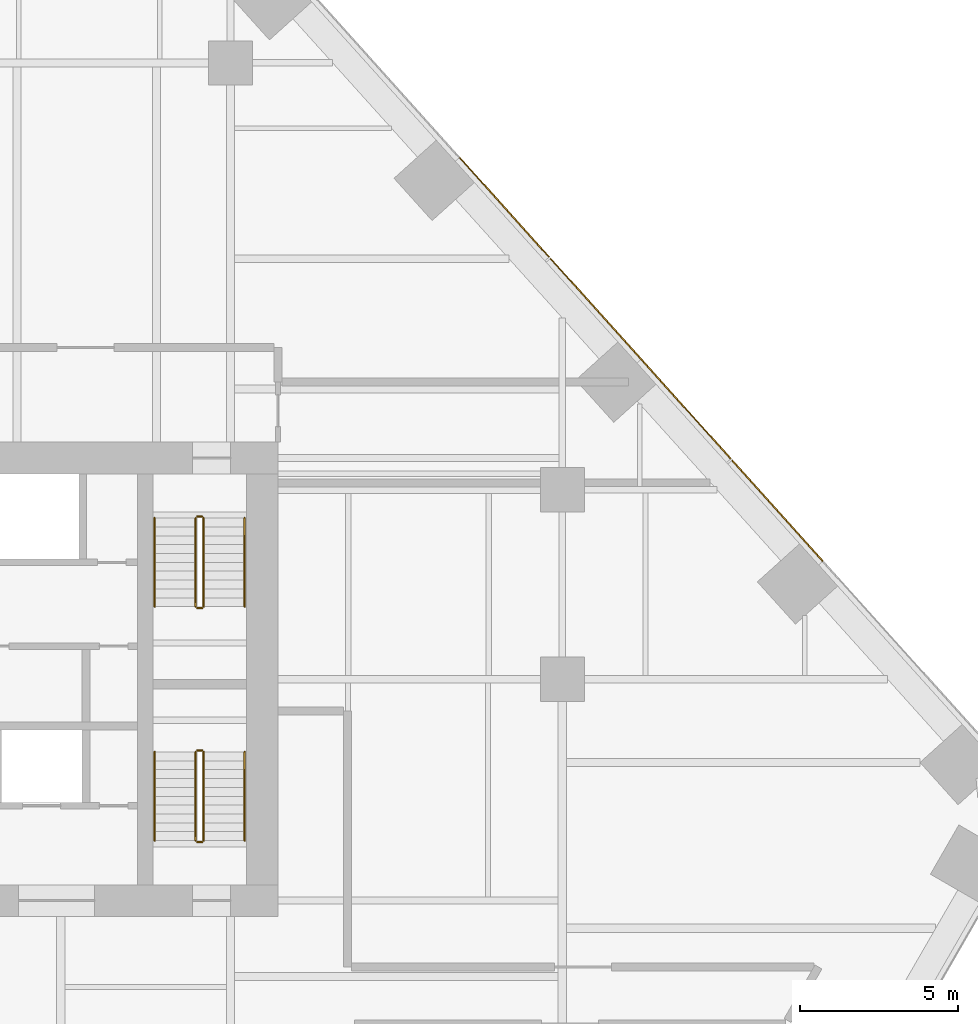
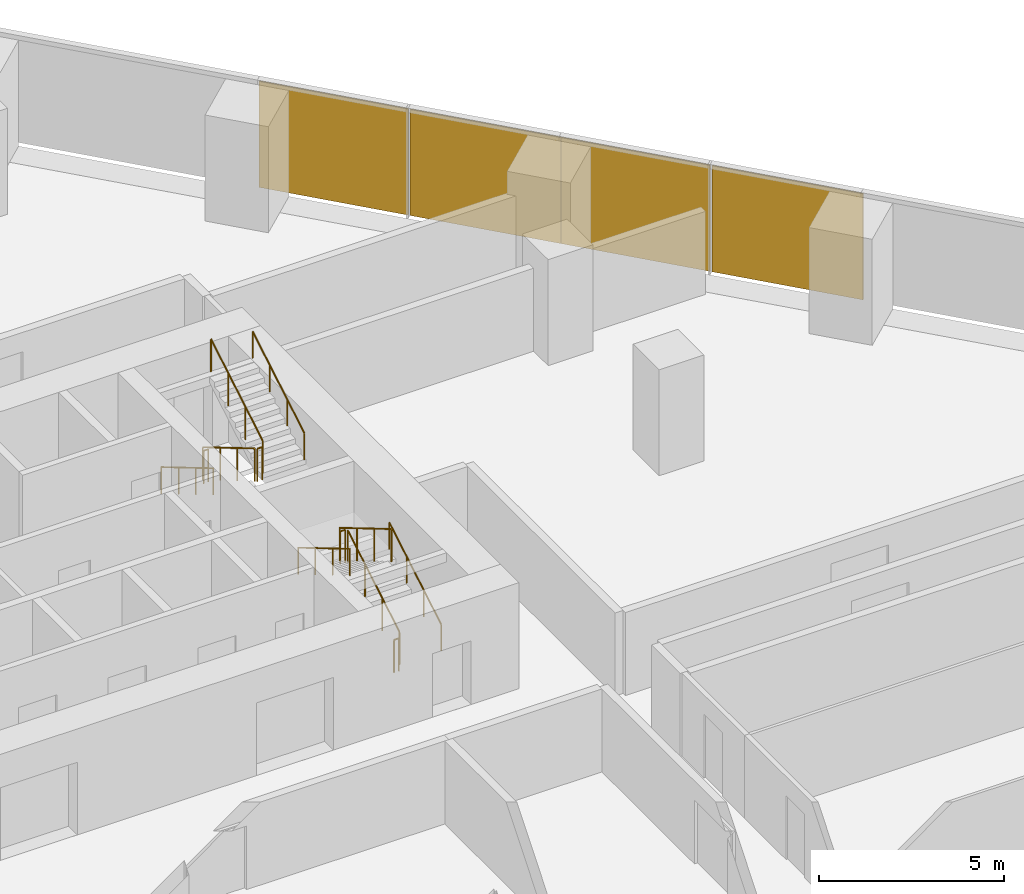
# One storey, part 20 of 20: 12 railings, 4 coverings, 1 element without a shape of its own.
"""IFC4 building model written with IfcOpenShell, lengths in metres."""

from ifc_helpers import new_model, si_unit, direction, frame, origin, origin_2d, place, context, subcontext, project, spatial, rectangle, circle, extrude, material, layer, layer_set, type_object, element, aggregate, save


model = new_model("IFC4")

# Units and contexts
model_context = context("Model", 3, precision=1e-05, world=origin(), true_north=direction((0.0, 1.0)))
body_context = subcontext(model_context, "Body", "Model", "MODEL_VIEW")
ifc_project = project(units=[si_unit("LENGTHUNIT", "METRE"), si_unit("AREAUNIT", "SQUARE_METRE"), si_unit("VOLUMEUNIT", "CUBIC_METRE"), si_unit("PLANEANGLEUNIT", "RADIAN"), si_unit("MASSUNIT", "GRAM", prefix="KILO")], contexts=[model_context])

# Site, building, storey
site_placement = place(None, origin())
site = spatial("IfcSite", under=ifc_project, at=site_placement, CompositionType="ELEMENT")
building_placement = place(site_placement, origin())
building = spatial("IfcBuilding", under=site, at=building_placement, Name="Isthmus Gate Tower", CompositionType="ELEMENT")
storey_placement = place(building_placement, frame((0.0, 0.0, 57.89990234375)))
storey = spatial("IfcBuildingStorey", under=building, at=storey_placement, Name="L12", CompositionType="ELEMENT", Elevation=57.89990234375)

# Curtain wall, coverings
ifc_material_1 = material(Name="Aluminium, pale champagne anodised", Category="aluminium")
ifc_layer_1 = layer(ifc_material_1, 0.199951171875)
ifc_layer_set_1 = layer_set([ifc_layer_1], Name="CW-1 UNITISED CURTAIN WALL 200 DEEP")
curtain_wall_type = type_object("IfcCurtainWallType", Name="CW-1 UNITISED CURTAIN WALL 200 DEEP", PredefinedType="NOTDEFINED", material=ifc_layer_set_1)
curtain_wall_placement = place(storey_placement, origin())
curtain_wall = element("IfcCurtainWall", 1, at=curtain_wall_placement, inside=storey, type_object=curtain_wall_type, Name="CW-1 NE L12", PredefinedType="NOTDEFINED")
ifc_material_2 = material(Name="Aluminium composite panel, pale champagne anodised", Category="aluminium")
ifc_layer_2 = layer(ifc_material_2, 0.0400390625)
ifc_layer_set_2 = layer_set([ifc_layer_2], Name="CW-1 PALE METAL PANEL 40")
covering_type = type_object("IfcCoveringType", Name="CW-1 PALE METAL PANEL 40", PredefinedType="CLADDING", material=ifc_layer_set_2)
covering_1_placement = place(storey_placement, frame((30.80419921875, 12.835693359375, 0.0), z_axis=(0.0, 0.0, 1.0), x_axis=(-0.669130606359, 0.743144825477, 0.0)))
covering_1 = element("IfcCovering", 2, at=covering_1_placement, type_object=covering_type, Name="CW-1 pale metal panel", PredefinedType="CLADDING", context=body_context, shape_type="SweptSolid", body=[
    extrude(rectangle(XDim=4.294677734375, YDim=0.0400390625, at=origin_2d()), origin(), (0.0, 0.0, 1.0), 3.5),
])
covering_2_placement = place(storey_placement, frame((27.910400390625, 16.049560546875, 0.0), z_axis=(0.0, 0.0, 1.0), x_axis=(-0.669130606359, 0.743144825477, 0.0)))
covering_2 = element("IfcCovering", 3, at=covering_2_placement, type_object=covering_type, Name="CW-1 pale metal panel", PredefinedType="CLADDING", context=body_context, shape_type="SweptSolid", body=[
    extrude(rectangle(XDim=4.234619140625, YDim=0.0400390625, at=origin_2d()), origin(), (0.0, 0.0, 1.0), 3.5),
])
covering_3_placement = place(storey_placement, frame((25.056884765625, 19.21875, 0.0), z_axis=(0.0, 0.0, 1.0), x_axis=(-0.669130606359, 0.743144825477, 0.0)))
covering_3 = element("IfcCovering", 4, at=covering_3_placement, type_object=covering_type, Name="CW-1 pale metal panel", PredefinedType="CLADDING", context=body_context, shape_type="SweptSolid", body=[
    extrude(rectangle(XDim=4.294677734375, YDim=0.0400390625, at=origin_2d()), origin(), (0.0, 0.0, 1.0), 3.5),
])
covering_4_placement = place(storey_placement, frame((22.1630859375, 22.4326171875, 0.0), z_axis=(0.0, 0.0, 1.0), x_axis=(-0.669130606359, 0.743144825477, 0.0)))
covering_4 = element("IfcCovering", 5, at=covering_4_placement, type_object=covering_type, Name="CW-1 pale metal panel", PredefinedType="CLADDING", context=body_context, shape_type="SweptSolid", body=[
    extrude(rectangle(XDim=4.234619140625, YDim=0.0400390625, at=origin_2d()), origin(), (0.0, 0.0, 1.0), 3.5),
])
aggregate(curtain_wall, [covering_1, covering_2, covering_3, covering_4])

# Railings
ifc_material_3 = material(Name="Stainless steel balustrade", Category="steel")
railing_type_1 = type_object("IfcRailingType", Name="STAIR GUARD 1100", PredefinedType="GUARDRAIL", material=ifc_material_3)
railing_1_placement = place(storey_placement, frame((12.39990234375, 12.60009765625, 0.166015625)))
element("IfcRailing", 6, at=railing_1_placement, inside=storey, type_object=railing_type_1, Name="L12 ST2 stair guard 1", PredefinedType="GUARDRAIL", context=body_context, shape_type="SweptSolid", body=[
    extrude(circle(Radius=0.02392578125, at=origin_2d()), frame((0.0, 0.0, 1.076171875), z_axis=(0.0, -0.860306154799, 0.50977771628), x_axis=(1.0, 0.0, 0.0)), (0.0, 0.0, 1.0), 3.254638671875),
    extrude(circle(Radius=0.02099609375, at=origin_2d()), origin(), (0.0, 0.0, 1.0), 1.052001953125),
    extrude(circle(Radius=0.02099609375, at=origin_2d()), frame((0.0, -0.933349609375, 0.552978515625)), (0.0, 0.0, 1.0), 1.052001953125),
    extrude(circle(Radius=0.02099609375, at=origin_2d()), frame((0.0, -1.86669921875, 1.106201171875)), (0.0, 0.0, 1.0), 1.052001953125),
    extrude(circle(Radius=0.02099609375, at=origin_2d()), frame((0.0, -2.800048828125, 1.6591796875)), (0.0, 0.0, 1.0), 1.052001953125),
])
railing_2_placement = place(storey_placement, frame((12.449951171875, 9.75, 1.8251953125)))
element("IfcRailing", 7, at=railing_2_placement, inside=storey, type_object=railing_type_1, Name="L12 ST2 stair guard 2", PredefinedType="GUARDRAIL", context=body_context, shape_type="SweptSolid", body=[
    extrude(circle(Radius=0.02392578125, at=origin_2d()), frame((0.0, 0.0, 1.076171875), z_axis=(1.0, 0.0, 0.0), x_axis=(0.0, 1.0, 0.0)), (0.0, 0.0, 1.0), 0.150146484375),
    extrude(circle(Radius=0.02099609375, at=origin_2d()), origin(), (0.0, 0.0, 1.0), 1.052001953125),
    extrude(circle(Radius=0.02099609375, at=origin_2d()), frame((0.150146484375, 0.0, 0.0)), (0.0, 0.0, 1.0), 1.052001953125),
])
railing_3_placement = place(storey_placement, frame((12.64990234375, 9.800048828125, 1.990966796875)))
element("IfcRailing", 8, at=railing_3_placement, inside=storey, type_object=railing_type_1, Name="L12 ST2 stair guard 3", PredefinedType="GUARDRAIL", context=body_context, shape_type="SweptSolid", body=[
    extrude(circle(Radius=0.02392578125, at=origin_2d()), frame((0.0, 0.0, 1.076171875), z_axis=(0.0, 0.860306154799, 0.50977771628), x_axis=(-1.0, 0.0, 0.0)), (0.0, 0.0, 1.0), 3.254638671875),
    extrude(circle(Radius=0.02099609375, at=origin_2d()), origin(), (0.0, 0.0, 1.0), 1.052001953125),
    extrude(circle(Radius=0.02099609375, at=origin_2d()), frame((0.0, 0.933349609375, 0.552978515625)), (0.0, 0.0, 1.0), 1.052001953125),
    extrude(circle(Radius=0.02099609375, at=origin_2d()), frame((0.0, 1.86669921875, 1.106201171875)), (0.0, 0.0, 1.0), 1.052001953125),
    extrude(circle(Radius=0.02099609375, at=origin_2d()), frame((0.0, 2.800048828125, 1.6591796875)), (0.0, 0.0, 1.0), 1.052001953125),
])
railing_4_placement = place(storey_placement, frame((12.449951171875, 12.64990234375, 0.0)))
element("IfcRailing", 9, at=railing_4_placement, inside=storey, type_object=railing_type_1, Name="L12 ST2 stair guard 4", PredefinedType="GUARDRAIL", context=body_context, shape_type="SweptSolid", body=[
    extrude(circle(Radius=0.02392578125, at=origin_2d()), frame((0.0, 0.0, 1.076171875), z_axis=(1.0, 0.0, 0.0), x_axis=(0.0, 1.0, 0.0)), (0.0, 0.0, 1.0), 0.150146484375),
    extrude(circle(Radius=0.02099609375, at=origin_2d()), origin(), (0.0, 0.0, 1.0), 1.052001953125),
    extrude(circle(Radius=0.02099609375, at=origin_2d()), frame((0.150146484375, 0.0, 0.0)), (0.0, 0.0, 1.0), 1.052001953125),
])
railing_5_placement = place(storey_placement, frame((12.64990234375, 2.39990234375, 0.166015625)))
element("IfcRailing", 10, at=railing_5_placement, inside=storey, type_object=railing_type_1, Name="L12 ST8 stair guard 1", PredefinedType="GUARDRAIL", context=body_context, shape_type="SweptSolid", body=[
    extrude(circle(Radius=0.02392578125, at=origin_2d()), frame((0.0, 0.0, 1.076171875), z_axis=(0.0, 0.860306154799, 0.50977771628), x_axis=(-1.0, 0.0, 0.0)), (0.0, 0.0, 1.0), 3.254638671875),
    extrude(circle(Radius=0.02099609375, at=origin_2d()), origin(), (0.0, 0.0, 1.0), 1.052001953125),
    extrude(circle(Radius=0.02099609375, at=origin_2d()), frame((0.0, 0.933349609375, 0.552978515625)), (0.0, 0.0, 1.0), 1.052001953125),
    extrude(circle(Radius=0.02099609375, at=origin_2d()), frame((0.0, 1.86669921875, 1.106201171875)), (0.0, 0.0, 1.0), 1.052001953125),
    extrude(circle(Radius=0.02099609375, at=origin_2d()), frame((0.0, 2.800048828125, 1.6591796875)), (0.0, 0.0, 1.0), 1.052001953125),
])
railing_6_placement = place(storey_placement, frame((12.60009765625, 5.25, 1.8251953125)))
element("IfcRailing", 11, at=railing_6_placement, inside=storey, type_object=railing_type_1, Name="L12 ST8 stair guard 2", PredefinedType="GUARDRAIL", context=body_context, shape_type="SweptSolid", body=[
    extrude(circle(Radius=0.02392578125, at=origin_2d()), frame((0.0, 0.0, 1.076171875), z_axis=(-1.0, 0.0, 0.0), x_axis=(0.0, -1.0, 0.0)), (0.0, 0.0, 1.0), 0.150146484375),
    extrude(circle(Radius=0.02099609375, at=origin_2d()), origin(), (0.0, 0.0, 1.0), 1.052001953125),
    extrude(circle(Radius=0.02099609375, at=origin_2d()), frame((-0.150146484375, 0.0, 0.0)), (0.0, 0.0, 1.0), 1.052001953125),
])
railing_7_placement = place(storey_placement, frame((12.39990234375, 5.199951171875, 1.990966796875)))
element("IfcRailing", 12, at=railing_7_placement, inside=storey, type_object=railing_type_1, Name="L12 ST8 stair guard 3", PredefinedType="GUARDRAIL", context=body_context, shape_type="SweptSolid", body=[
    extrude(circle(Radius=0.02392578125, at=origin_2d()), frame((0.0, 0.0, 1.076171875), z_axis=(0.0, -0.860306154799, 0.50977771628), x_axis=(1.0, 0.0, 0.0)), (0.0, 0.0, 1.0), 3.254638671875),
    extrude(circle(Radius=0.02099609375, at=origin_2d()), origin(), (0.0, 0.0, 1.0), 1.052001953125),
    extrude(circle(Radius=0.02099609375, at=origin_2d()), frame((0.0, -0.933349609375, 0.552978515625)), (0.0, 0.0, 1.0), 1.052001953125),
    extrude(circle(Radius=0.02099609375, at=origin_2d()), frame((0.0, -1.86669921875, 1.106201171875)), (0.0, 0.0, 1.0), 1.052001953125),
    extrude(circle(Radius=0.02099609375, at=origin_2d()), frame((0.0, -2.800048828125, 1.6591796875)), (0.0, 0.0, 1.0), 1.052001953125),
])
railing_8_placement = place(storey_placement, frame((12.60009765625, 2.35009765625, 0.0)))
element("IfcRailing", 13, at=railing_8_placement, inside=storey, type_object=railing_type_1, Name="L12 ST8 stair guard 4", PredefinedType="GUARDRAIL", context=body_context, shape_type="SweptSolid", body=[
    extrude(circle(Radius=0.02392578125, at=origin_2d()), frame((0.0, 0.0, 1.076171875), z_axis=(-1.0, 0.0, 0.0), x_axis=(0.0, -1.0, 0.0)), (0.0, 0.0, 1.0), 0.150146484375),
    extrude(circle(Radius=0.02099609375, at=origin_2d()), origin(), (0.0, 0.0, 1.0), 1.052001953125),
    extrude(circle(Radius=0.02099609375, at=origin_2d()), frame((-0.150146484375, 0.0, 0.0)), (0.0, 0.0, 1.0), 1.052001953125),
])
ifc_material_4 = material(Name="Stainless steel handrail", Category="steel")
railing_type_2 = type_object("IfcRailingType", Name="STAIR HANDRAIL 900", PredefinedType="HANDRAIL", material=ifc_material_4)
railing_9_placement = place(storey_placement, frame((11.10009765625, 12.60009765625, 0.166015625)))
element("IfcRailing", 14, at=railing_9_placement, inside=storey, type_object=railing_type_2, Name="L12 ST2 stair handrail 1", PredefinedType="HANDRAIL", context=body_context, shape_type="SweptSolid", body=[
    extrude(circle(Radius=0.02392578125, at=origin_2d()), frame((0.0, 0.0, 0.8759765625), z_axis=(0.0, -0.860306154799, 0.50977771628), x_axis=(1.0, 0.0, 0.0)), (0.0, 0.0, 1.0), 3.254638671875),
    extrude(circle(Radius=0.02099609375, at=origin_2d()), origin(), (0.0, 0.0, 1.0), 0.851806640625),
    extrude(circle(Radius=0.02099609375, at=origin_2d()), frame((0.0, -0.933349609375, 0.552978515625)), (0.0, 0.0, 1.0), 0.851806640625),
    extrude(circle(Radius=0.02099609375, at=origin_2d()), frame((0.0, -1.86669921875, 1.106201171875)), (0.0, 0.0, 1.0), 0.851806640625),
    extrude(circle(Radius=0.02099609375, at=origin_2d()), frame((0.0, -2.800048828125, 1.6591796875)), (0.0, 0.0, 1.0), 0.851806640625),
])
for number, where, name in (
    (15, (13.949951171875, 9.800048828125, 1.990966796875), "L12 ST2 stair handrail 2"),
    (16, (13.949951171875, 2.39990234375, 0.166015625), "L12 ST8 stair handrail 1"),
):
    element("IfcRailing", number, at=place(storey_placement, frame(where)), inside=storey, type_object=railing_type_2, Name=name, PredefinedType="HANDRAIL", context=body_context, shape_type="SweptSolid", body=[
        extrude(circle(Radius=0.02392578125, at=origin_2d()), frame((0.0, 0.0, 0.8759765625), z_axis=(0.0, 0.860306154799, 0.50977771628), x_axis=(-1.0, 0.0, 0.0)), (0.0, 0.0, 1.0), 3.254638671875),
        extrude(circle(Radius=0.02099609375, at=origin_2d()), origin(), (0.0, 0.0, 1.0), 0.851806640625),
        extrude(circle(Radius=0.02099609375, at=origin_2d()), frame((0.0, 0.933349609375, 0.552978515625)), (0.0, 0.0, 1.0), 0.851806640625),
        extrude(circle(Radius=0.02099609375, at=origin_2d()), frame((0.0, 1.86669921875, 1.106201171875)), (0.0, 0.0, 1.0), 0.851806640625),
        extrude(circle(Radius=0.02099609375, at=origin_2d()), frame((0.0, 2.800048828125, 1.6591796875)), (0.0, 0.0, 1.0), 0.851806640625),
    ])
railing_10_placement = place(storey_placement, frame((11.10009765625, 5.199951171875, 1.990966796875)))
element("IfcRailing", 17, at=railing_10_placement, inside=storey, type_object=railing_type_2, Name="L12 ST8 stair handrail 2", PredefinedType="HANDRAIL", context=body_context, shape_type="SweptSolid", body=[
    extrude(circle(Radius=0.02392578125, at=origin_2d()), frame((0.0, 0.0, 0.8759765625), z_axis=(0.0, -0.860306154799, 0.50977771628), x_axis=(1.0, 0.0, 0.0)), (0.0, 0.0, 1.0), 3.254638671875),
    extrude(circle(Radius=0.02099609375, at=origin_2d()), origin(), (0.0, 0.0, 1.0), 0.851806640625),
    extrude(circle(Radius=0.02099609375, at=origin_2d()), frame((0.0, -0.933349609375, 0.552978515625)), (0.0, 0.0, 1.0), 0.851806640625),
    extrude(circle(Radius=0.02099609375, at=origin_2d()), frame((0.0, -1.86669921875, 1.106201171875)), (0.0, 0.0, 1.0), 0.851806640625),
    extrude(circle(Radius=0.02099609375, at=origin_2d()), frame((0.0, -2.800048828125, 1.6591796875)), (0.0, 0.0, 1.0), 0.851806640625),
])

save(model, "model.ifc")
